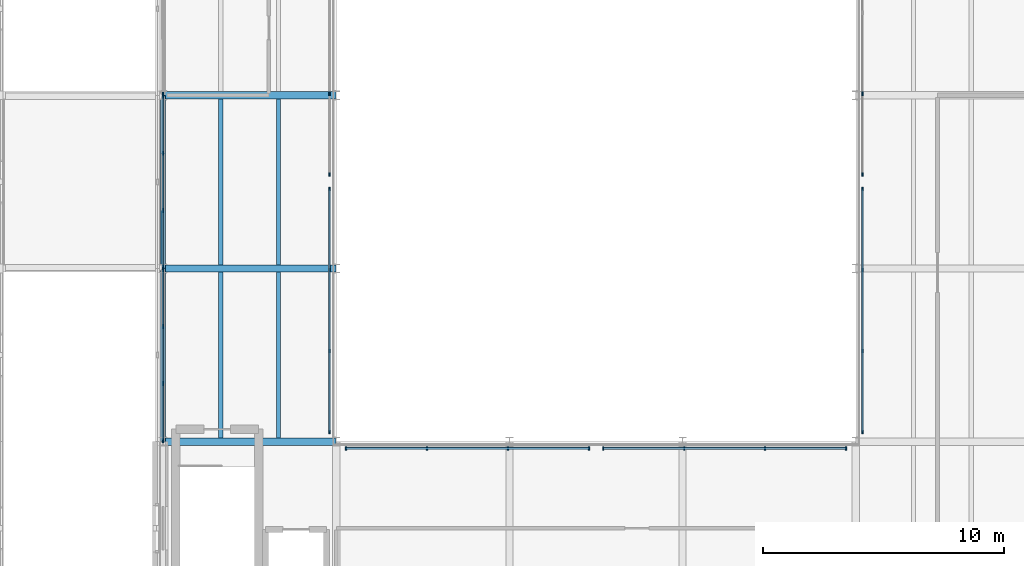
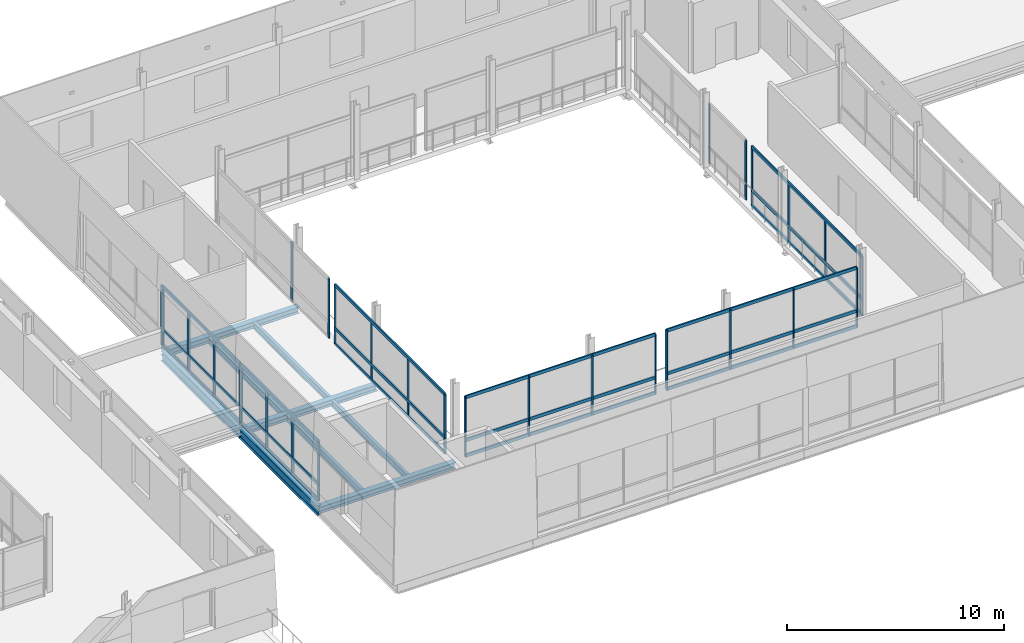
# One storey, part 23 of 91: 47 members, 9 beams, 9 elements without a shape of their own.
"""IFC4 building model written with IfcOpenShell, lengths in metres."""

from ifc_helpers import new_model, si_unit, direction, frame, origin, origin_2d, place, context, subcontext, project, spatial, rectangle, i_section, extrude, material, layer, layer_set, material_profile, profile_set, type_object, element, aggregate, save


model = new_model("IFC4")

# Units and contexts
model_context = context("Model", 3, precision=1e-05, world=origin(), true_north=direction((0.0, 1.0)))
body_context = subcontext(model_context, "Body", "Model", "MODEL_VIEW")
ifc_project = project(units=[si_unit("LENGTHUNIT", "METRE"), si_unit("AREAUNIT", "SQUARE_METRE"), si_unit("VOLUMEUNIT", "CUBIC_METRE"), si_unit("PLANEANGLEUNIT", "RADIAN"), si_unit("MASSUNIT", "GRAM", prefix="KILO")], contexts=[model_context])

# Site, building, storey
site_placement = place(None, origin())
site = spatial("IfcSite", under=ifc_project, at=site_placement, CompositionType="ELEMENT")
building_placement = place(site_placement, origin())
building = spatial("IfcBuilding", under=site, at=building_placement, Name="Narikvali Park Central Library", CompositionType="ELEMENT")
storey_placement = place(building_placement, frame((0.0, 0.0, 14.39990234375)))
storey = spatial("IfcBuildingStorey", under=building, at=storey_placement, Name="L03", CompositionType="ELEMENT", Elevation=14.39990234375)

# Curtain wall, members
ifc_material_1 = material(Name="Anodised Bronze Aluminium", Category="aluminium")
ifc_layer_1 = layer(ifc_material_1, 0.219970703125, Name="Anodised Bronze Aluminium")
ifc_layer_set_1 = layer_set([ifc_layer_1], Name="Anodised Bronze Aluminium")
curtain_wall_type_1 = type_object("IfcCurtainWallType", Name="Rotunda Drum Clerestory Curtain Wall", PredefinedType="NOTDEFINED", material=ifc_layer_set_1)
curtain_wall_1_placement = place(storey_placement, origin())
curtain_wall_1 = element("IfcCurtainWall", 1, at=curtain_wall_1_placement, inside=storey, type_object=curtain_wall_type_1, Name="Rotunda Drum Clerestory Curtain Wall CW-V1-L03-W-03", PredefinedType="NOTDEFINED")
ifc_material_profile_1 = material_profile(ifc_material_1, rectangle(XDim=0.074951171875, YDim=0.179931640625, at=origin_2d()), Name="CW TRANSOM 75x180")
ifc_profile_set_1 = profile_set([ifc_material_profile_1], Name="Anodised Bronze Aluminium")
member_type_1 = type_object("IfcMemberType", Name="Curtain Wall Heavy Transom 75x180", PredefinedType="USERDEFINED", material=ifc_profile_set_1)
member_1_placement = place(storey_placement, frame((64.800048828125, 79.162109375, 0.030029296875), z_axis=(0.0, -1.0, 0.0), x_axis=(1.0, 0.0, 0.0)))
member_1 = element("IfcMember", 2, at=member_1_placement, type_object=member_type_1, Name="CW-V1-L03-W-03 Transom 00", ObjectType="TRANSOM", PredefinedType="USERDEFINED", context=body_context, shape_type="SweptSolid", body=[
    extrude(rectangle(XDim=0.074951171875, YDim=0.179931640625, at=origin_2d()), origin(), (0.0, 0.0, 1.0), 7.1240234375),
])
member_2_placement = place(storey_placement, frame((64.800048828125, 79.162109375, 0.900146484375), z_axis=(0.0, -1.0, 0.0), x_axis=(1.0, 0.0, 0.0)))
member_2 = element("IfcMember", 3, at=member_2_placement, type_object=member_type_1, Name="CW-V1-L03-W-03 Transom 01", ObjectType="TRANSOM", PredefinedType="USERDEFINED", context=body_context, shape_type="SweptSolid", body=[
    extrude(rectangle(XDim=0.074951171875, YDim=0.179931640625, at=origin_2d()), origin(), (0.0, 0.0, 1.0), 7.1240234375),
])
member_3_placement = place(storey_placement, frame((64.800048828125, 79.162109375, 3.31005859375), z_axis=(0.0, -1.0, 0.0), x_axis=(1.0, 0.0, 0.0)))
member_3 = element("IfcMember", 4, at=member_3_placement, type_object=member_type_1, Name="CW-V1-L03-W-03 Transom 02", ObjectType="TRANSOM", PredefinedType="USERDEFINED", context=body_context, shape_type="SweptSolid", body=[
    extrude(rectangle(XDim=0.074951171875, YDim=0.179931640625, at=origin_2d()), origin(), (0.0, 0.0, 1.0), 7.1240234375),
])

curtain_wall_2_placement = place(storey_placement, origin())
curtain_wall_2 = element("IfcCurtainWall", 5, at=curtain_wall_2_placement, inside=storey, type_object=curtain_wall_type_1, Name="Rotunda Drum Clerestory Curtain Wall CW-V1-L03-W-04", PredefinedType="NOTDEFINED")
member_4_placement = place(storey_placement, frame((64.800048828125, 71.9619140625, 0.030029296875), z_axis=(0.0, -1.0, 0.0), x_axis=(1.0, 0.0, 0.0)))
member_4 = element("IfcMember", 6, at=member_4_placement, type_object=member_type_1, Name="CW-V1-L03-W-04 Transom 00", ObjectType="TRANSOM", PredefinedType="USERDEFINED", context=body_context, shape_type="SweptSolid", body=[
    extrude(rectangle(XDim=0.074951171875, YDim=0.179931640625, at=origin_2d()), origin(), (0.0, 0.0, 1.0), 7.1240234375),
])
member_5_placement = place(storey_placement, frame((64.800048828125, 71.9619140625, 0.900146484375), z_axis=(0.0, -1.0, 0.0), x_axis=(1.0, 0.0, 0.0)))
member_5 = element("IfcMember", 7, at=member_5_placement, type_object=member_type_1, Name="CW-V1-L03-W-04 Transom 01", ObjectType="TRANSOM", PredefinedType="USERDEFINED", context=body_context, shape_type="SweptSolid", body=[
    extrude(rectangle(XDim=0.074951171875, YDim=0.179931640625, at=origin_2d()), origin(), (0.0, 0.0, 1.0), 7.1240234375),
])
member_6_placement = place(storey_placement, frame((64.800048828125, 71.9619140625, 3.31005859375), z_axis=(0.0, -1.0, 0.0), x_axis=(1.0, 0.0, 0.0)))
member_6 = element("IfcMember", 8, at=member_6_placement, type_object=member_type_1, Name="CW-V1-L03-W-04 Transom 02", ObjectType="TRANSOM", PredefinedType="USERDEFINED", context=body_context, shape_type="SweptSolid", body=[
    extrude(rectangle(XDim=0.074951171875, YDim=0.179931640625, at=origin_2d()), origin(), (0.0, 0.0, 1.0), 7.1240234375),
])

ifc_layer_2 = layer(ifc_material_1, 0.219970703125, Name="Anodised Bronze Aluminium")
ifc_layer_set_2 = layer_set([ifc_layer_2], Name="Anodised Bronze Aluminium")
curtain_wall_type_2 = type_object("IfcCurtainWallType", Name="Atrium Tall Curtain Wall System", PredefinedType="NOTDEFINED", material=ifc_layer_set_2)
curtain_wall_3_placement = place(storey_placement, origin())
curtain_wall_3 = element("IfcCurtainWall", 9, at=curtain_wall_3_placement, inside=storey, type_object=curtain_wall_type_2, Name="Atrium Tall Curtain Wall System CW-INT-V1-L03-W1", PredefinedType="NOTDEFINED")
member_7_placement = place(storey_placement, frame((71.719970703125, 65.199951171875, 0.030029296875), z_axis=(0.0, 1.0, 0.0), x_axis=(-1.0, 0.0, 0.0)))
member_7 = element("IfcMember", 10, at=member_7_placement, type_object=member_type_1, Name="CW-INT-V1-L03-W1 Transom 00", ObjectType="TRANSOM", PredefinedType="USERDEFINED", context=body_context, shape_type="SweptSolid", body=[
    extrude(rectangle(XDim=0.074951171875, YDim=0.179931640625, at=origin_2d()), origin(), (0.0, 0.0, 1.0), 10.10009765625),
])
member_8_placement = place(storey_placement, frame((71.719970703125, 65.199951171875, 0.900146484375), z_axis=(0.0, 1.0, 0.0), x_axis=(-1.0, 0.0, 0.0)))
member_8 = element("IfcMember", 11, at=member_8_placement, type_object=member_type_1, Name="CW-INT-V1-L03-W1 Transom 01", ObjectType="TRANSOM", PredefinedType="USERDEFINED", context=body_context, shape_type="SweptSolid", body=[
    extrude(rectangle(XDim=0.074951171875, YDim=0.179931640625, at=origin_2d()), origin(), (0.0, 0.0, 1.0), 10.10009765625),
])
member_9_placement = place(storey_placement, frame((71.719970703125, 65.199951171875, 3.31005859375), z_axis=(0.0, 1.0, 0.0), x_axis=(-1.0, 0.0, 0.0)))
member_9 = element("IfcMember", 12, at=member_9_placement, type_object=member_type_1, Name="CW-INT-V1-L03-W1 Transom 02", ObjectType="TRANSOM", PredefinedType="USERDEFINED", context=body_context, shape_type="SweptSolid", body=[
    extrude(rectangle(XDim=0.074951171875, YDim=0.179931640625, at=origin_2d()), origin(), (0.0, 0.0, 1.0), 10.10009765625),
])

curtain_wall_4_placement = place(storey_placement, origin())
curtain_wall_4 = element("IfcCurtainWall", 13, at=curtain_wall_4_placement, inside=storey, type_object=curtain_wall_type_2, Name="Atrium Tall Curtain Wall System CW-INT-V1-L03-E1", PredefinedType="NOTDEFINED")
member_10_placement = place(storey_placement, frame((93.8798828125, 65.199951171875, 0.030029296875), z_axis=(0.0, 1.0, 0.0), x_axis=(-1.0, 0.0, 0.0)))
member_10 = element("IfcMember", 14, at=member_10_placement, type_object=member_type_1, Name="CW-INT-V1-L03-E1 Transom 00", ObjectType="TRANSOM", PredefinedType="USERDEFINED", context=body_context, shape_type="SweptSolid", body=[
    extrude(rectangle(XDim=0.074951171875, YDim=0.179931640625, at=origin_2d()), origin(), (0.0, 0.0, 1.0), 10.10009765625),
])
member_11_placement = place(storey_placement, frame((93.8798828125, 65.199951171875, 0.900146484375), z_axis=(0.0, 1.0, 0.0), x_axis=(-1.0, 0.0, 0.0)))
member_11 = element("IfcMember", 15, at=member_11_placement, type_object=member_type_1, Name="CW-INT-V1-L03-E1 Transom 01", ObjectType="TRANSOM", PredefinedType="USERDEFINED", context=body_context, shape_type="SweptSolid", body=[
    extrude(rectangle(XDim=0.074951171875, YDim=0.179931640625, at=origin_2d()), origin(), (0.0, 0.0, 1.0), 10.10009765625),
])
member_12_placement = place(storey_placement, frame((93.8798828125, 65.199951171875, 3.31005859375), z_axis=(0.0, 1.0, 0.0), x_axis=(-1.0, 0.0, 0.0)))
member_12 = element("IfcMember", 16, at=member_12_placement, type_object=member_type_1, Name="CW-INT-V1-L03-E1 Transom 02", ObjectType="TRANSOM", PredefinedType="USERDEFINED", context=body_context, shape_type="SweptSolid", body=[
    extrude(rectangle(XDim=0.074951171875, YDim=0.179931640625, at=origin_2d()), origin(), (0.0, 0.0, 1.0), 10.10009765625),
])

curtain_wall_5_placement = place(storey_placement, origin())
curtain_wall_5 = element("IfcCurtainWall", 17, at=curtain_wall_5_placement, inside=storey, type_object=curtain_wall_type_2, Name="Atrium Tall Curtain Wall System CW-INT-V1-L03-S1", PredefinedType="NOTDEFINED")
member_13_placement = place(storey_placement, frame((72.39990234375, 64.52001953125, 0.030029296875), z_axis=(1.0, 0.0, 0.0), x_axis=(0.0, 1.0, 0.0)))
member_13 = element("IfcMember", 18, at=member_13_placement, type_object=member_type_1, Name="CW-INT-V1-L03-S1 Transom 00", ObjectType="TRANSOM", PredefinedType="USERDEFINED", context=body_context, shape_type="SweptSolid", body=[
    extrude(rectangle(XDim=0.074951171875, YDim=0.179931640625, at=origin_2d()), origin(), (0.0, 0.0, 1.0), 10.10009765625),
])
member_14_placement = place(storey_placement, frame((72.39990234375, 64.52001953125, 0.900146484375), z_axis=(1.0, 0.0, 0.0), x_axis=(0.0, 1.0, 0.0)))
member_14 = element("IfcMember", 19, at=member_14_placement, type_object=member_type_1, Name="CW-INT-V1-L03-S1 Transom 01", ObjectType="TRANSOM", PredefinedType="USERDEFINED", context=body_context, shape_type="SweptSolid", body=[
    extrude(rectangle(XDim=0.074951171875, YDim=0.179931640625, at=origin_2d()), origin(), (0.0, 0.0, 1.0), 10.10009765625),
])
member_15_placement = place(storey_placement, frame((72.39990234375, 64.52001953125, 3.31005859375), z_axis=(1.0, 0.0, 0.0), x_axis=(0.0, 1.0, 0.0)))
member_15 = element("IfcMember", 20, at=member_15_placement, type_object=member_type_1, Name="CW-INT-V1-L03-S1 Transom 02", ObjectType="TRANSOM", PredefinedType="USERDEFINED", context=body_context, shape_type="SweptSolid", body=[
    extrude(rectangle(XDim=0.074951171875, YDim=0.179931640625, at=origin_2d()), origin(), (0.0, 0.0, 1.0), 10.10009765625),
])

curtain_wall_6_placement = place(storey_placement, origin())
curtain_wall_6 = element("IfcCurtainWall", 21, at=curtain_wall_6_placement, inside=storey, type_object=curtain_wall_type_2, Name="Atrium Tall Curtain Wall System CW-INT-V1-L03-S2", PredefinedType="NOTDEFINED")
member_16_placement = place(storey_placement, frame((83.10009765625, 64.52001953125, 0.030029296875), z_axis=(1.0, 0.0, 0.0), x_axis=(0.0, 1.0, 0.0)))
member_16 = element("IfcMember", 22, at=member_16_placement, type_object=member_type_1, Name="CW-INT-V1-L03-S2 Transom 00", ObjectType="TRANSOM", PredefinedType="USERDEFINED", context=body_context, shape_type="SweptSolid", body=[
    extrude(rectangle(XDim=0.074951171875, YDim=0.179931640625, at=origin_2d()), origin(), (0.0, 0.0, 1.0), 10.099853515625),
])
member_17_placement = place(storey_placement, frame((83.10009765625, 64.52001953125, 0.900146484375), z_axis=(1.0, 0.0, 0.0), x_axis=(0.0, 1.0, 0.0)))
member_17 = element("IfcMember", 23, at=member_17_placement, type_object=member_type_1, Name="CW-INT-V1-L03-S2 Transom 01", ObjectType="TRANSOM", PredefinedType="USERDEFINED", context=body_context, shape_type="SweptSolid", body=[
    extrude(rectangle(XDim=0.074951171875, YDim=0.179931640625, at=origin_2d()), origin(), (0.0, 0.0, 1.0), 10.099853515625),
])
member_18_placement = place(storey_placement, frame((83.10009765625, 64.52001953125, 3.31005859375), z_axis=(1.0, 0.0, 0.0), x_axis=(0.0, 1.0, 0.0)))
member_18 = element("IfcMember", 24, at=member_18_placement, type_object=member_type_1, Name="CW-INT-V1-L03-S2 Transom 02", ObjectType="TRANSOM", PredefinedType="USERDEFINED", context=body_context, shape_type="SweptSolid", body=[
    extrude(rectangle(XDim=0.074951171875, YDim=0.179931640625, at=origin_2d()), origin(), (0.0, 0.0, 1.0), 10.099853515625),
])

# Member
ifc_material_profile_2 = material_profile(ifc_material_1, rectangle(XDim=0.06005859375, YDim=0.14990234375, at=origin_2d()), Name="CW MULLION 60x150")
ifc_profile_set_2 = profile_set([ifc_material_profile_2], Name="Anodised Bronze Aluminium")
member_type_2 = type_object("IfcMemberType", Name="Curtain Wall Mullion 60x150", PredefinedType="MULLION", material=ifc_profile_set_2)
member_19_placement = place(storey_placement, frame((71.719970703125, 65.199951171875, -0.010009765625), z_axis=(0.0, 0.0, 1.0), x_axis=(1.0, 0.0, 0.0)))
member_19 = element("IfcMember", 25, at=member_19_placement, type_object=member_type_2, Name="CW-INT-V1-L03-W1 Mullion 00", PredefinedType="MULLION", context=body_context, shape_type="SweptSolid", body=[
    extrude(rectangle(XDim=0.06005859375, YDim=0.14990234375, at=origin_2d()), origin(), (0.0, 0.0, 1.0), 3.35009765625),
])

member_20_placement = place(storey_placement, frame((71.719970703125, 68.566650390625, -0.010009765625), z_axis=(0.0, 0.0, 1.0), x_axis=(1.0, 0.0, 0.0)))
member_20 = element("IfcMember", 26, at=member_20_placement, type_object=member_type_2, Name="CW-INT-V1-L03-W1 Mullion 01", PredefinedType="MULLION", context=body_context, shape_type="SweptSolid", body=[
    extrude(rectangle(XDim=0.06005859375, YDim=0.14990234375, at=origin_2d()), origin(), (0.0, 0.0, 1.0), 3.35009765625),
])

member_21_placement = place(storey_placement, frame((71.719970703125, 71.933349609375, -0.010009765625), z_axis=(0.0, 0.0, 1.0), x_axis=(1.0, 0.0, 0.0)))
member_21 = element("IfcMember", 27, at=member_21_placement, type_object=member_type_2, Name="CW-INT-V1-L03-W1 Mullion 02", PredefinedType="MULLION", context=body_context, shape_type="SweptSolid", body=[
    extrude(rectangle(XDim=0.06005859375, YDim=0.14990234375, at=origin_2d()), origin(), (0.0, 0.0, 1.0), 3.35009765625),
])

member_22_placement = place(storey_placement, frame((71.719970703125, 75.300048828125, -0.010009765625), z_axis=(0.0, 0.0, 1.0), x_axis=(1.0, 0.0, 0.0)))
member_22 = element("IfcMember", 28, at=member_22_placement, type_object=member_type_2, Name="CW-INT-V1-L03-W1 Mullion 03", PredefinedType="MULLION", context=body_context, shape_type="SweptSolid", body=[
    extrude(rectangle(XDim=0.06005859375, YDim=0.14990234375, at=origin_2d()), origin(), (0.0, 0.0, 1.0), 3.35009765625),
])

aggregate(curtain_wall_3, [member_19, member_20, member_21, member_22, member_7, member_8, member_9])

# Curtain wall, members
curtain_wall_7_placement = place(storey_placement, origin())
curtain_wall_7 = element("IfcCurtainWall", 29, at=curtain_wall_7_placement, inside=storey, type_object=curtain_wall_type_2, Name="Atrium Tall Curtain Wall System CW-INT-V1-L03-W2", PredefinedType="NOTDEFINED")
member_23_placement = place(storey_placement, frame((71.719970703125, 75.89990234375, -0.010009765625), z_axis=(0.0, 0.0, 1.0), x_axis=(1.0, 0.0, 0.0)))
member_23 = element("IfcMember", 30, at=member_23_placement, type_object=member_type_2, Name="CW-INT-V1-L03-W2 Mullion 00", PredefinedType="MULLION", context=body_context, shape_type="SweptSolid", body=[
    extrude(rectangle(XDim=0.06005859375, YDim=0.14990234375, at=origin_2d()), origin(), (0.0, 0.0, 1.0), 3.35009765625),
])
member_24_placement = place(storey_placement, frame((71.719970703125, 79.2666015625, -0.010009765625), z_axis=(0.0, 0.0, 1.0), x_axis=(1.0, 0.0, 0.0)))
member_24 = element("IfcMember", 31, at=member_24_placement, type_object=member_type_2, Name="CW-INT-V1-L03-W2 Mullion 01", PredefinedType="MULLION", context=body_context, shape_type="SweptSolid", body=[
    extrude(rectangle(XDim=0.06005859375, YDim=0.14990234375, at=origin_2d()), origin(), (0.0, 0.0, 1.0), 3.35009765625),
])
aggregate(curtain_wall_7, [member_23, member_24])

# Member
member_25_placement = place(storey_placement, frame((93.8798828125, 65.199951171875, -0.010009765625), z_axis=(0.0, 0.0, 1.0), x_axis=(1.0, 0.0, 0.0)))
member_25 = element("IfcMember", 32, at=member_25_placement, type_object=member_type_2, Name="CW-INT-V1-L03-E1 Mullion 00", PredefinedType="MULLION", context=body_context, shape_type="SweptSolid", body=[
    extrude(rectangle(XDim=0.06005859375, YDim=0.14990234375, at=origin_2d()), origin(), (0.0, 0.0, 1.0), 3.35009765625),
])

member_26_placement = place(storey_placement, frame((93.8798828125, 68.566650390625, -0.010009765625), z_axis=(0.0, 0.0, 1.0), x_axis=(1.0, 0.0, 0.0)))
member_26 = element("IfcMember", 33, at=member_26_placement, type_object=member_type_2, Name="CW-INT-V1-L03-E1 Mullion 01", PredefinedType="MULLION", context=body_context, shape_type="SweptSolid", body=[
    extrude(rectangle(XDim=0.06005859375, YDim=0.14990234375, at=origin_2d()), origin(), (0.0, 0.0, 1.0), 3.35009765625),
])

member_27_placement = place(storey_placement, frame((93.8798828125, 71.933349609375, -0.010009765625), z_axis=(0.0, 0.0, 1.0), x_axis=(1.0, 0.0, 0.0)))
member_27 = element("IfcMember", 34, at=member_27_placement, type_object=member_type_2, Name="CW-INT-V1-L03-E1 Mullion 02", PredefinedType="MULLION", context=body_context, shape_type="SweptSolid", body=[
    extrude(rectangle(XDim=0.06005859375, YDim=0.14990234375, at=origin_2d()), origin(), (0.0, 0.0, 1.0), 3.35009765625),
])

member_28_placement = place(storey_placement, frame((93.8798828125, 75.300048828125, -0.010009765625), z_axis=(0.0, 0.0, 1.0), x_axis=(1.0, 0.0, 0.0)))
member_28 = element("IfcMember", 35, at=member_28_placement, type_object=member_type_2, Name="CW-INT-V1-L03-E1 Mullion 03", PredefinedType="MULLION", context=body_context, shape_type="SweptSolid", body=[
    extrude(rectangle(XDim=0.06005859375, YDim=0.14990234375, at=origin_2d()), origin(), (0.0, 0.0, 1.0), 3.35009765625),
])

aggregate(curtain_wall_4, [member_25, member_26, member_27, member_28, member_10, member_11, member_12])

# Curtain wall, members
curtain_wall_8_placement = place(storey_placement, origin())
curtain_wall_8 = element("IfcCurtainWall", 36, at=curtain_wall_8_placement, inside=storey, type_object=curtain_wall_type_2, Name="Atrium Tall Curtain Wall System CW-INT-V1-L03-E2", PredefinedType="NOTDEFINED")
member_29_placement = place(storey_placement, frame((93.8798828125, 75.89990234375, -0.010009765625), z_axis=(0.0, 0.0, 1.0), x_axis=(1.0, 0.0, 0.0)))
member_29 = element("IfcMember", 37, at=member_29_placement, type_object=member_type_2, Name="CW-INT-V1-L03-E2 Mullion 00", PredefinedType="MULLION", context=body_context, shape_type="SweptSolid", body=[
    extrude(rectangle(XDim=0.06005859375, YDim=0.14990234375, at=origin_2d()), origin(), (0.0, 0.0, 1.0), 3.35009765625),
])
member_30_placement = place(storey_placement, frame((93.8798828125, 79.2666015625, -0.010009765625), z_axis=(0.0, 0.0, 1.0), x_axis=(1.0, 0.0, 0.0)))
member_30 = element("IfcMember", 38, at=member_30_placement, type_object=member_type_2, Name="CW-INT-V1-L03-E2 Mullion 01", PredefinedType="MULLION", context=body_context, shape_type="SweptSolid", body=[
    extrude(rectangle(XDim=0.06005859375, YDim=0.14990234375, at=origin_2d()), origin(), (0.0, 0.0, 1.0), 3.35009765625),
])
aggregate(curtain_wall_8, [member_29, member_30])

# Member
member_31_placement = place(storey_placement, frame((72.39990234375, 64.52001953125, -0.010009765625), z_axis=(0.0, 0.0, 1.0), x_axis=(1.0, 0.0, 0.0)))
member_31 = element("IfcMember", 39, at=member_31_placement, type_object=member_type_2, Name="CW-INT-V1-L03-S1 Mullion 00", PredefinedType="MULLION", context=body_context, shape_type="SweptSolid", body=[
    extrude(rectangle(XDim=0.06005859375, YDim=0.14990234375, at=origin_2d()), origin(), (0.0, 0.0, 1.0), 3.35009765625),
])

member_32_placement = place(storey_placement, frame((75.7666015625, 64.52001953125, -0.010009765625), z_axis=(0.0, 0.0, 1.0), x_axis=(1.0, 0.0, 0.0)))
member_32 = element("IfcMember", 40, at=member_32_placement, type_object=member_type_2, Name="CW-INT-V1-L03-S1 Mullion 01", PredefinedType="MULLION", context=body_context, shape_type="SweptSolid", body=[
    extrude(rectangle(XDim=0.06005859375, YDim=0.14990234375, at=origin_2d()), origin(), (0.0, 0.0, 1.0), 3.35009765625),
])

member_33_placement = place(storey_placement, frame((79.13330078125, 64.52001953125, -0.010009765625), z_axis=(0.0, 0.0, 1.0), x_axis=(1.0, 0.0, 0.0)))
member_33 = element("IfcMember", 41, at=member_33_placement, type_object=member_type_2, Name="CW-INT-V1-L03-S1 Mullion 02", PredefinedType="MULLION", context=body_context, shape_type="SweptSolid", body=[
    extrude(rectangle(XDim=0.06005859375, YDim=0.14990234375, at=origin_2d()), origin(), (0.0, 0.0, 1.0), 3.35009765625),
])

member_34_placement = place(storey_placement, frame((82.5, 64.52001953125, -0.010009765625), z_axis=(0.0, 0.0, 1.0), x_axis=(1.0, 0.0, 0.0)))
member_34 = element("IfcMember", 42, at=member_34_placement, type_object=member_type_2, Name="CW-INT-V1-L03-S1 Mullion 03", PredefinedType="MULLION", context=body_context, shape_type="SweptSolid", body=[
    extrude(rectangle(XDim=0.06005859375, YDim=0.14990234375, at=origin_2d()), origin(), (0.0, 0.0, 1.0), 3.35009765625),
])

aggregate(curtain_wall_5, [member_31, member_32, member_33, member_34, member_13, member_14, member_15])

member_35_placement = place(storey_placement, frame((83.10009765625, 64.52001953125, -0.010009765625), z_axis=(0.0, 0.0, 1.0), x_axis=(1.0, 0.0, 0.0)))
member_35 = element("IfcMember", 43, at=member_35_placement, type_object=member_type_2, Name="CW-INT-V1-L03-S2 Mullion 00", PredefinedType="MULLION", context=body_context, shape_type="SweptSolid", body=[
    extrude(rectangle(XDim=0.06005859375, YDim=0.14990234375, at=origin_2d()), origin(), (0.0, 0.0, 1.0), 3.35009765625),
])

member_36_placement = place(storey_placement, frame((86.466796875, 64.52001953125, -0.010009765625), z_axis=(0.0, 0.0, 1.0), x_axis=(1.0, 0.0, 0.0)))
member_36 = element("IfcMember", 44, at=member_36_placement, type_object=member_type_2, Name="CW-INT-V1-L03-S2 Mullion 01", PredefinedType="MULLION", context=body_context, shape_type="SweptSolid", body=[
    extrude(rectangle(XDim=0.06005859375, YDim=0.14990234375, at=origin_2d()), origin(), (0.0, 0.0, 1.0), 3.35009765625),
])

member_37_placement = place(storey_placement, frame((89.833251953125, 64.52001953125, -0.010009765625), z_axis=(0.0, 0.0, 1.0), x_axis=(1.0, 0.0, 0.0)))
member_37 = element("IfcMember", 45, at=member_37_placement, type_object=member_type_2, Name="CW-INT-V1-L03-S2 Mullion 02", PredefinedType="MULLION", context=body_context, shape_type="SweptSolid", body=[
    extrude(rectangle(XDim=0.06005859375, YDim=0.14990234375, at=origin_2d()), origin(), (0.0, 0.0, 1.0), 3.35009765625),
])

member_38_placement = place(storey_placement, frame((93.199951171875, 64.52001953125, -0.010009765625), z_axis=(0.0, 0.0, 1.0), x_axis=(1.0, 0.0, 0.0)))
member_38 = element("IfcMember", 46, at=member_38_placement, type_object=member_type_2, Name="CW-INT-V1-L03-S2 Mullion 03", PredefinedType="MULLION", context=body_context, shape_type="SweptSolid", body=[
    extrude(rectangle(XDim=0.06005859375, YDim=0.14990234375, at=origin_2d()), origin(), (0.0, 0.0, 1.0), 3.35009765625),
])

aggregate(curtain_wall_6, [member_35, member_36, member_37, member_38, member_16, member_17, member_18])

# Curtain wall, member
curtain_wall_9_placement = place(storey_placement, origin())
curtain_wall_9 = element("IfcCurtainWall", 47, at=curtain_wall_9_placement, inside=storey, type_object=curtain_wall_type_1, Name="Rotunda Drum Clerestory Curtain Wall CW-V1-L03-W-02", PredefinedType="NOTDEFINED")
ifc_material_profile_3 = material_profile(ifc_material_1, rectangle(XDim=0.06494140625, YDim=0.179931640625, at=origin_2d()), Name="CW MULLION 65x180")
ifc_profile_set_3 = profile_set([ifc_material_profile_3], Name="Anodised Bronze Aluminium")
member_type_3 = type_object("IfcMemberType", Name="Curtain Wall Mullion 65x180", PredefinedType="MULLION", material=ifc_profile_set_3)
member_39_placement = place(storey_placement, frame((64.800048828125, 79.238037109375, -0.010009765625), z_axis=(0.0, 0.0, 1.0), x_axis=(1.0, 0.0, 0.0)))
member_39 = element("IfcMember", 48, at=member_39_placement, type_object=member_type_3, Name="CW-V1-L03-W-02 Mullion 03", PredefinedType="MULLION", context=body_context, shape_type="SweptSolid", body=[
    extrude(rectangle(XDim=0.06494140625, YDim=0.179931640625, at=origin_2d()), origin(), (0.0, 0.0, 1.0), 3.35009765625),
])
aggregate(curtain_wall_9, [member_39])

# Member
member_40_placement = place(storey_placement, frame((64.800048828125, 79.162109375, -0.010009765625), z_axis=(0.0, 0.0, 1.0), x_axis=(1.0, 0.0, 0.0)))
member_40 = element("IfcMember", 49, at=member_40_placement, type_object=member_type_3, Name="CW-V1-L03-W-03 Mullion 00", PredefinedType="MULLION", context=body_context, shape_type="SweptSolid", body=[
    extrude(rectangle(XDim=0.06494140625, YDim=0.179931640625, at=origin_2d()), origin(), (0.0, 0.0, 1.0), 3.35009765625),
])

member_41_placement = place(storey_placement, frame((64.800048828125, 76.787353515625, -0.010009765625), z_axis=(0.0, 0.0, 1.0), x_axis=(1.0, 0.0, 0.0)))
member_41 = element("IfcMember", 50, at=member_41_placement, type_object=member_type_3, Name="CW-V1-L03-W-03 Mullion 01", PredefinedType="MULLION", context=body_context, shape_type="SweptSolid", body=[
    extrude(rectangle(XDim=0.06494140625, YDim=0.179931640625, at=origin_2d()), origin(), (0.0, 0.0, 1.0), 3.35009765625),
])

member_42_placement = place(storey_placement, frame((64.800048828125, 74.41259765625, -0.010009765625), z_axis=(0.0, 0.0, 1.0), x_axis=(1.0, 0.0, 0.0)))
member_42 = element("IfcMember", 51, at=member_42_placement, type_object=member_type_3, Name="CW-V1-L03-W-03 Mullion 02", PredefinedType="MULLION", context=body_context, shape_type="SweptSolid", body=[
    extrude(rectangle(XDim=0.06494140625, YDim=0.179931640625, at=origin_2d()), origin(), (0.0, 0.0, 1.0), 3.35009765625),
])

member_43_placement = place(storey_placement, frame((64.800048828125, 72.0380859375, -0.010009765625), z_axis=(0.0, 0.0, 1.0), x_axis=(1.0, 0.0, 0.0)))
member_43 = element("IfcMember", 52, at=member_43_placement, type_object=member_type_3, Name="CW-V1-L03-W-03 Mullion 03", PredefinedType="MULLION", context=body_context, shape_type="SweptSolid", body=[
    extrude(rectangle(XDim=0.06494140625, YDim=0.179931640625, at=origin_2d()), origin(), (0.0, 0.0, 1.0), 3.35009765625),
])

aggregate(curtain_wall_1, [member_40, member_41, member_42, member_43, member_1, member_2, member_3])

member_44_placement = place(storey_placement, frame((64.800048828125, 71.9619140625, -0.010009765625), z_axis=(0.0, 0.0, 1.0), x_axis=(1.0, 0.0, 0.0)))
member_44 = element("IfcMember", 53, at=member_44_placement, type_object=member_type_3, Name="CW-V1-L03-W-04 Mullion 00", PredefinedType="MULLION", context=body_context, shape_type="SweptSolid", body=[
    extrude(rectangle(XDim=0.06494140625, YDim=0.179931640625, at=origin_2d()), origin(), (0.0, 0.0, 1.0), 3.35009765625),
])

member_45_placement = place(storey_placement, frame((64.800048828125, 69.58740234375, -0.010009765625), z_axis=(0.0, 0.0, 1.0), x_axis=(1.0, 0.0, 0.0)))
member_45 = element("IfcMember", 54, at=member_45_placement, type_object=member_type_3, Name="CW-V1-L03-W-04 Mullion 01", PredefinedType="MULLION", context=body_context, shape_type="SweptSolid", body=[
    extrude(rectangle(XDim=0.06494140625, YDim=0.179931640625, at=origin_2d()), origin(), (0.0, 0.0, 1.0), 3.35009765625),
])

member_46_placement = place(storey_placement, frame((64.800048828125, 67.212646484375, -0.010009765625), z_axis=(0.0, 0.0, 1.0), x_axis=(1.0, 0.0, 0.0)))
member_46 = element("IfcMember", 55, at=member_46_placement, type_object=member_type_3, Name="CW-V1-L03-W-04 Mullion 02", PredefinedType="MULLION", context=body_context, shape_type="SweptSolid", body=[
    extrude(rectangle(XDim=0.06494140625, YDim=0.179931640625, at=origin_2d()), origin(), (0.0, 0.0, 1.0), 3.35009765625),
])

member_47_placement = place(storey_placement, frame((64.800048828125, 64.837890625, -0.010009765625), z_axis=(0.0, 0.0, 1.0), x_axis=(1.0, 0.0, 0.0)))
member_47 = element("IfcMember", 56, at=member_47_placement, type_object=member_type_3, Name="CW-V1-L03-W-04 Mullion 03", PredefinedType="MULLION", context=body_context, shape_type="SweptSolid", body=[
    extrude(rectangle(XDim=0.06494140625, YDim=0.179931640625, at=origin_2d()), origin(), (0.0, 0.0, 1.0), 3.35009765625),
])

aggregate(curtain_wall_2, [member_44, member_45, member_46, member_47, member_4, member_5, member_6])

# Beams
ifc_material_2 = material(Name="Steel S355", Category="steel")
ifc_material_profile_4 = material_profile(ifc_material_2, i_section(OverallWidth=0.2099609375, OverallDepth=0.550048828125, WebThickness=0.010986328125, FlangeThickness=0.01708984375, FilletRadius=0.02392578125, at=origin_2d()), Name="IPE 550")
ifc_profile_set_4 = profile_set([ifc_material_profile_4], Name="Steel S355")
beam_type_1 = type_object("IfcBeamType", Name="Perimeter Spandrel IPE550", PredefinedType="SPANDREL", material=ifc_profile_set_4)
for number, where, z_axis, x_axis, name in (
    (57, (64.800048828125, 64.80810546875, -0.554931640625), (0.0, 1.0, 0.0), (-1.0, 0.0, 0.0), "V1 L03 Girder Y"),
    (58, (64.800048828125, 72.008056640625, -0.554931640625), (0.0, 1.0, 0.0), (-1.0, 0.0, 0.0), "V1 L03 Girder Y"),
):
    element("IfcBeam", number, at=place(storey_placement, frame(where, z_axis=z_axis, x_axis=x_axis)), inside=storey, type_object=beam_type_1, Name=name, PredefinedType="SPANDREL", context=body_context, shape_type="SweptSolid", body=[
        extrude(i_section(OverallWidth=0.2099609375, OverallDepth=0.550048828125, WebThickness=0.010986328125, FlangeThickness=0.01708984375, FilletRadius=0.02392578125, at=origin_2d()), origin(), (0.0, 0.0, 1.0), 7.183837890625),
    ])
ifc_material_profile_5 = material_profile(ifc_material_2, i_section(OverallWidth=0.300048828125, OverallDepth=0.360107421875, WebThickness=0.012451171875, FlangeThickness=0.0224609375, FilletRadius=0.027099609375, at=origin_2d()), Name="HEB 360")
ifc_profile_set_5 = profile_set([ifc_material_profile_5], Name="Steel S355")
beam_type_2 = type_object("IfcBeamType", Name="Upper Gallery Girder HEB360", PredefinedType="BEAM", material=ifc_profile_set_5)
for number, where, z_axis, x_axis, name in (
    (59, (64.80810546875, 64.800048828125, -0.4599609375), (1.0, 0.0, 0.0), (0.0, 1.0, 0.0), "V1 L03 Girder X"),
    (60, (64.80810546875, 72.0, -0.4599609375), (1.0, 0.0, 0.0), (0.0, 1.0, 0.0), "V1 L03 Girder X"),
    (61, (64.80810546875, 79.199951171875, -0.4599609375), (1.0, 0.0, 0.0), (0.0, 1.0, 0.0), "V1 L03 Girder X"),
):
    element("IfcBeam", number, at=place(storey_placement, frame(where, z_axis=z_axis, x_axis=x_axis)), inside=storey, type_object=beam_type_2, Name=name, PredefinedType="BEAM", context=body_context, shape_type="SweptSolid", body=[
        extrude(i_section(OverallWidth=0.300048828125, OverallDepth=0.360107421875, WebThickness=0.012451171875, FlangeThickness=0.0224609375, FilletRadius=0.027099609375, at=origin_2d()), origin(), (0.0, 0.0, 1.0), 7.183837890625),
    ])
ifc_material_profile_6 = material_profile(ifc_material_2, i_section(OverallWidth=0.172119140625, OverallDepth=0.364013671875, WebThickness=0.00927734375, FlangeThickness=0.0146484375, FilletRadius=0.01806640625, at=origin_2d()), Name="IPEO 360")
ifc_profile_set_6 = profile_set([ifc_material_profile_6], Name="Steel S355")
beam_type_3 = type_object("IfcBeamType", Name="Upper Study Joist IPEO360", PredefinedType="JOIST", material=ifc_profile_set_6)
for number, where, z_axis, x_axis, name in (
    (62, (67.199951171875, 64.949951171875, -0.4619140625), (0.0, 1.0, 0.0), (-1.0, 0.0, 0.0), "V1 L03 Composite Joist 1"),
    (63, (69.60009765625, 64.949951171875, -0.4619140625), (0.0, 1.0, 0.0), (-1.0, 0.0, 0.0), "V1 L03 Composite Joist 2"),
    (64, (67.199951171875, 72.14990234375, -0.4619140625), (0.0, 1.0, 0.0), (-1.0, 0.0, 0.0), "V1 L03 Composite Joist 1"),
    (65, (69.60009765625, 72.14990234375, -0.4619140625), (0.0, 1.0, 0.0), (-1.0, 0.0, 0.0), "V1 L03 Composite Joist 2"),
):
    element("IfcBeam", number, at=place(storey_placement, frame(where, z_axis=z_axis, x_axis=x_axis)), inside=storey, type_object=beam_type_3, Name=name, PredefinedType="JOIST", context=body_context, shape_type="SweptSolid", body=[
        extrude(i_section(OverallWidth=0.172119140625, OverallDepth=0.364013671875, WebThickness=0.00927734375, FlangeThickness=0.0146484375, FilletRadius=0.01806640625, at=origin_2d()), origin(), (0.0, 0.0, 1.0), 6.900146484375),
    ])

save(model, "model.ifc")
